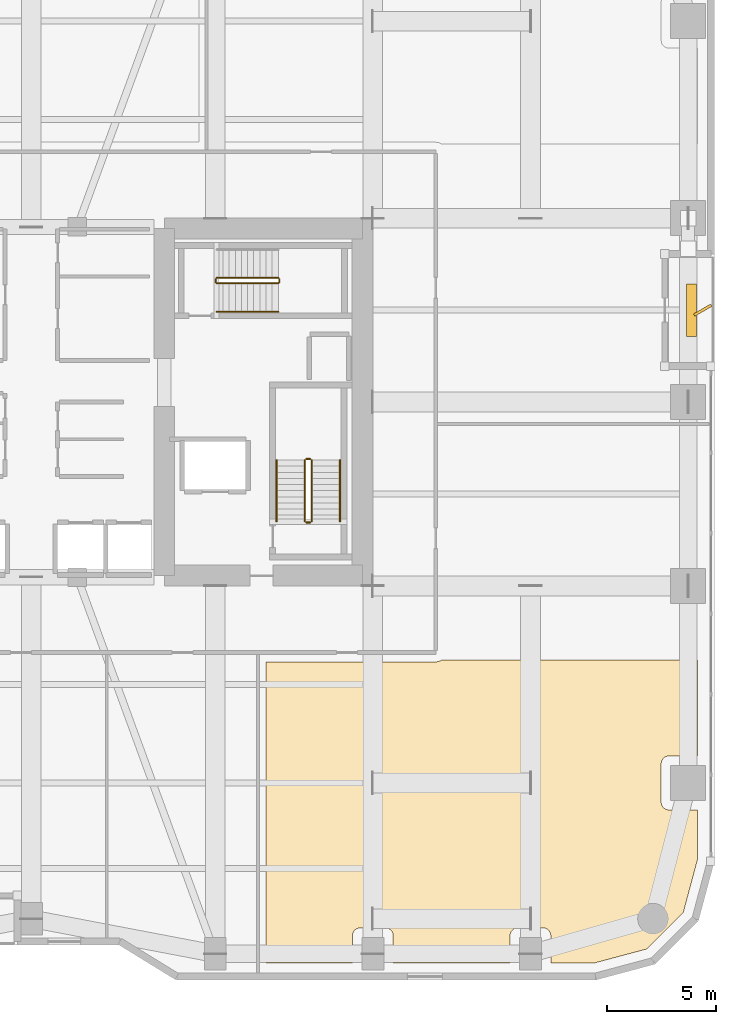
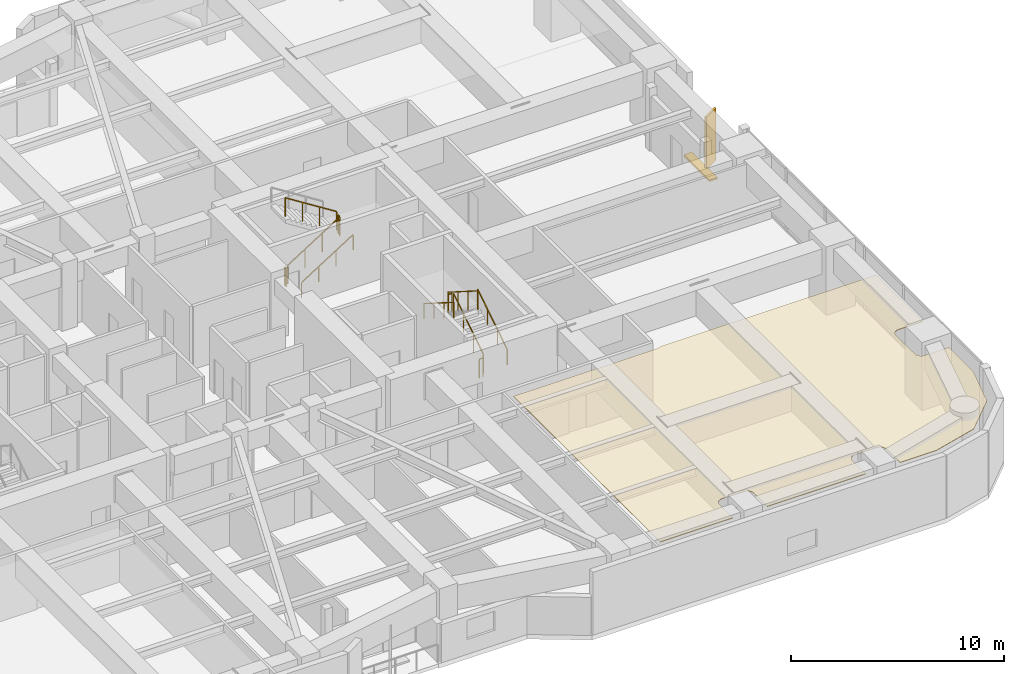
# One storey, part 27 of 28: 11 railings, 2 shading devices, 1 covering.
"""IFC4 building model written with IfcOpenShell, lengths in metres."""

from ifc_helpers import new_model, si_unit, direction, frame, origin, origin_2d, place, context, subcontext, project, spatial, polyline, rectangle, outline, extrude, material, layer, layer_set, type_object, element, save


model = new_model("IFC4")

# Units and contexts
model_context = context("Model", 3, precision=1e-05, world=origin(), true_north=direction((0.0, 1.0)))
body_context = subcontext(model_context, "Body", "Model", "MODEL_VIEW")
ifc_project = project(units=[si_unit("LENGTHUNIT", "METRE"), si_unit("AREAUNIT", "SQUARE_METRE"), si_unit("VOLUMEUNIT", "CUBIC_METRE"), si_unit("PLANEANGLEUNIT", "RADIAN"), si_unit("MASSUNIT", "GRAM", prefix="KILO")], contexts=[model_context])

# Site, building, storey
site_placement = place(None, origin())
site = spatial("IfcSite", under=ifc_project, at=site_placement, CompositionType="ELEMENT")
building_placement = place(site_placement, origin())
building = spatial("IfcBuilding", under=site, at=building_placement, Name="Kiyonajd Concourse Tower", CompositionType="ELEMENT")
storey_placement = place(building_placement, frame((0.0, 0.0, 76.800048828125)))
storey = spatial("IfcBuildingStorey", under=building, at=storey_placement, Name="L20", CompositionType="ELEMENT", Elevation=76.800048828125)

# Covering
ifc_material_1 = material(Name="Natural Oak Acoustic Timber Veneer", Category="wood")
ifc_layer = layer(ifc_material_1, 0.0400390625)
ifc_layer_set = layer_set([ifc_layer], Name="Natural Oak Acoustic Timber Veneer")
covering_type = type_object("IfcCoveringType", Name="CV-CLG-ACST", PredefinedType="CEILING", material=ifc_layer_set)
covering_placement = place(storey_placement, frame((0.0, 0.0, 3.419921875)))
element("IfcCovering", 1, at=covering_placement, inside=storey, type_object=covering_type, Name="L20-43 Room Acoustic Ceiling", PredefinedType="CEILING", context=body_context, shape_type="SweptSolid", body=[
    extrude(outline(polyline([(66.722900390625, 24.2099609375), (78.429931640625, 24.2099609375), (78.429931640625, 19.830078125), (77.1201171875, 19.830078125), (77.052001953125, 19.822998046875), (76.986083984375, 19.802978515625), (76.926025390625, 19.77099609375), (76.84912109375, 19.701904296875), (76.81103515625, 19.64501953125), (76.784912109375, 19.58203125), (76.77001953125, 19.47998046875), (76.77001953125, 17.719970703125), (76.784912109375, 17.617919921875), (76.81103515625, 17.554931640625), (76.84912109375, 17.498046875), (76.89794921875, 17.448974609375), (76.955078125, 17.410888671875), (77.01806640625, 17.385009765625), (77.0859375, 17.3720703125), (78.429931640625, 17.3701171875), (78.429931640625, 15.10107421875), (77.785888671875, 12.697998046875), (76.10205078125, 11.013916015625), (73.698974609375, 10.3701171875), (71.72998046875, 10.3701171875), (71.72802734375, 11.6640625), (71.715087890625, 11.73193359375), (71.68896484375, 11.794921875), (71.626953125, 11.876953125), (71.544921875, 11.93896484375), (71.48193359375, 11.965087890625), (71.4140625, 11.97802734375), (70.18603515625, 11.97802734375), (70.117919921875, 11.965087890625), (70.054931640625, 11.93896484375), (69.972900390625, 11.876953125), (69.910888671875, 11.794921875), (69.876953125, 11.697998046875), (69.8701171875, 11.6298828125), (69.8701171875, 10.3701171875), (64.530029296875, 10.3701171875), (64.528076171875, 11.6640625), (64.514892578125, 11.73193359375), (64.489013671875, 11.794921875), (64.427001953125, 11.876953125), (64.344970703125, 11.93896484375), (64.281982421875, 11.965087890625), (64.214111328125, 11.97802734375), (63.02001953125, 11.97998046875), (62.91796875, 11.965087890625), (62.85498046875, 11.93896484375), (62.798095703125, 11.90087890625), (62.7490234375, 11.85205078125), (62.7109375, 11.794921875), (62.677001953125, 11.697998046875), (62.669921875, 11.6298828125), (62.669921875, 10.3701171875), (58.72998046875, 10.3701171875), (58.72998046875, 24.1298828125), (66.47509765625, 24.1298828125), (66.60498046875, 24.14990234375), (66.66796875, 24.176025390625), (66.722900390625, 24.2099609375)])), origin(), (0.0, 0.0, 1.0), 0.0400390625),
])

# Railings
ifc_material_2 = material(Name="Steel ASTM A500 Grade C", Category="steel")
railing_type_1 = type_object("IfcRailingType", Name="RL-GRD-STR", PredefinedType="GUARDRAIL", material=ifc_material_2)
railing_1_placement = place(storey_placement, frame((60.800048828125, 30.550048828125, 0.17724609375)))
element("IfcRailing", 2, at=railing_1_placement, inside=storey, type_object=railing_type_1, Name="L20 ST2 stair guard 1", PredefinedType="GUARDRAIL", context=body_context, shape_type="SweptSolid", body=[
    extrude(rectangle(XDim=0.048095703125, YDim=0.048095703125, at=origin_2d()), frame((0.0, 0.0, 1.076171875), z_axis=(0.0, 0.844908973607, 0.534910110503), x_axis=(-1.0, 0.0, 0.0)), (0.0, 0.0, 1.0), 3.31396484375),
    extrude(rectangle(XDim=0.0419921875, YDim=0.0419921875, at=origin_2d()), origin(), (0.0, 0.0, 1.0), 1.052001953125),
    extrude(rectangle(XDim=0.0419921875, YDim=0.0419921875, at=origin_2d()), frame((0.0, 0.933349609375, 0.5908203125)), (0.0, 0.0, 1.0), 1.052001953125),
    extrude(rectangle(XDim=0.0419921875, YDim=0.0419921875, at=origin_2d()), frame((0.0, 1.86669921875, 1.181884765625)), (0.0, 0.0, 1.0), 1.052001953125),
    extrude(rectangle(XDim=0.0419921875, YDim=0.0419921875, at=origin_2d()), frame((0.0, 2.800048828125, 1.772705078125)), (0.0, 0.0, 1.0), 1.052001953125),
])
railing_2_placement = place(storey_placement, frame((60.75, 33.39990234375, 1.949951171875)))
element("IfcRailing", 3, at=railing_2_placement, inside=storey, type_object=railing_type_1, Name="L20 ST2 stair guard 2", PredefinedType="GUARDRAIL", context=body_context, shape_type="SweptSolid", body=[
    extrude(rectangle(XDim=0.048095703125, YDim=0.048095703125, at=origin_2d()), frame((0.0, 0.0, 1.076171875), z_axis=(-1.0, 0.0, 0.0), x_axis=(0.0, -1.0, 0.0)), (0.0, 0.0, 1.0), 0.199951171875),
    extrude(rectangle(XDim=0.0419921875, YDim=0.0419921875, at=origin_2d()), origin(), (0.0, 0.0, 1.0), 1.052001953125),
    extrude(rectangle(XDim=0.0419921875, YDim=0.0419921875, at=origin_2d()), frame((-0.199951171875, 0.0, 0.0)), (0.0, 0.0, 1.0), 1.052001953125),
])
railing_3_placement = place(storey_placement, frame((60.5, 33.35009765625, 2.127197265625)))
element("IfcRailing", 4, at=railing_3_placement, inside=storey, type_object=railing_type_1, Name="L20 ST2 stair guard 3", PredefinedType="GUARDRAIL", context=body_context, shape_type="SweptSolid", body=[
    extrude(rectangle(XDim=0.048095703125, YDim=0.048095703125, at=origin_2d()), frame((0.0, 0.0, 1.076171875), z_axis=(0.0, -0.844908973607, 0.534910110503), x_axis=(1.0, 0.0, 0.0)), (0.0, 0.0, 1.0), 3.31396484375),
    extrude(rectangle(XDim=0.0419921875, YDim=0.0419921875, at=origin_2d()), origin(), (0.0, 0.0, 1.0), 1.052001953125),
    extrude(rectangle(XDim=0.0419921875, YDim=0.0419921875, at=origin_2d()), frame((0.0, -0.933349609375, 0.5908203125)), (0.0, 0.0, 1.0), 1.052001953125),
    extrude(rectangle(XDim=0.0419921875, YDim=0.0419921875, at=origin_2d()), frame((0.0, -1.86669921875, 1.181884765625)), (0.0, 0.0, 1.0), 1.052001953125),
    extrude(rectangle(XDim=0.0419921875, YDim=0.0419921875, at=origin_2d()), frame((0.0, -2.800048828125, 1.772705078125)), (0.0, 0.0, 1.0), 1.052001953125),
])
railing_4_placement = place(storey_placement, frame((60.75, 30.5, 0.0)))
element("IfcRailing", 5, at=railing_4_placement, inside=storey, type_object=railing_type_1, Name="L20 ST2 stair guard 4", PredefinedType="GUARDRAIL", context=body_context, shape_type="SweptSolid", body=[
    extrude(rectangle(XDim=0.048095703125, YDim=0.048095703125, at=origin_2d()), frame((0.0, 0.0, 1.076171875), z_axis=(-1.0, 0.0, 0.0), x_axis=(0.0, -1.0, 0.0)), (0.0, 0.0, 1.0), 0.199951171875),
    extrude(rectangle(XDim=0.0419921875, YDim=0.0419921875, at=origin_2d()), origin(), (0.0, 0.0, 1.0), 1.052001953125),
    extrude(rectangle(XDim=0.0419921875, YDim=0.0419921875, at=origin_2d()), frame((-0.199951171875, 0.0, 0.0)), (0.0, 0.0, 1.0), 1.052001953125),
])
railing_5_placement = place(storey_placement, frame((56.47998046875, 41.429931640625, 0.17724609375)))
element("IfcRailing", 6, at=railing_5_placement, inside=storey, type_object=railing_type_1, Name="L20 ST3 stair guard 1", PredefinedType="GUARDRAIL", context=body_context, shape_type="SweptSolid", body=[
    extrude(rectangle(XDim=0.048095703125, YDim=0.048095703125, at=origin_2d()), frame((0.0, 0.0, 1.076171875), z_axis=(0.844908973607, 0.0, 0.534910110503), x_axis=(0.0, 1.0, 0.0)), (0.0, 0.0, 1.0), 3.31396484375),
    extrude(rectangle(XDim=0.0419921875, YDim=0.0419921875, at=origin_2d()), origin(), (0.0, 0.0, 1.0), 1.052001953125),
    extrude(rectangle(XDim=0.0419921875, YDim=0.0419921875, at=origin_2d()), frame((0.933349609375, 0.0, 0.5908203125)), (0.0, 0.0, 1.0), 1.052001953125),
    extrude(rectangle(XDim=0.0419921875, YDim=0.0419921875, at=origin_2d()), frame((1.86669921875, 0.0, 1.181884765625)), (0.0, 0.0, 1.0), 1.052001953125),
    extrude(rectangle(XDim=0.0419921875, YDim=0.0419921875, at=origin_2d()), frame((2.800048828125, 0.0, 1.772705078125)), (0.0, 0.0, 1.0), 1.052001953125),
])
railing_6_placement = place(storey_placement, frame((59.330078125, 41.47998046875, 1.949951171875)))
element("IfcRailing", 7, at=railing_6_placement, inside=storey, type_object=railing_type_1, Name="L20 ST3 stair guard 2", PredefinedType="GUARDRAIL", context=body_context, shape_type="SweptSolid", body=[
    extrude(rectangle(XDim=0.048095703125, YDim=0.048095703125, at=origin_2d()), frame((0.0, 0.0, 1.076171875), z_axis=(0.0, 1.0, 0.0), x_axis=(-1.0, 0.0, 0.0)), (0.0, 0.0, 1.0), 0.14013671875),
    extrude(rectangle(XDim=0.0419921875, YDim=0.0419921875, at=origin_2d()), origin(), (0.0, 0.0, 1.0), 1.052001953125),
    extrude(rectangle(XDim=0.0419921875, YDim=0.0419921875, at=origin_2d()), frame((0.0, 0.14013671875, 0.0)), (0.0, 0.0, 1.0), 1.052001953125),
])
railing_7_placement = place(storey_placement, frame((59.280029296875, 41.669921875, 2.127197265625)))
element("IfcRailing", 8, at=railing_7_placement, inside=storey, type_object=railing_type_1, Name="L20 ST3 stair guard 3", PredefinedType="GUARDRAIL", context=body_context, shape_type="SweptSolid", body=[
    extrude(rectangle(XDim=0.048095703125, YDim=0.048095703125, at=origin_2d()), frame((0.0, 0.0, 1.076171875), z_axis=(-0.844908973607, 0.0, 0.534910110503), x_axis=(0.0, -1.0, 0.0)), (0.0, 0.0, 1.0), 3.31396484375),
    extrude(rectangle(XDim=0.0419921875, YDim=0.0419921875, at=origin_2d()), origin(), (0.0, 0.0, 1.0), 1.052001953125),
    extrude(rectangle(XDim=0.0419921875, YDim=0.0419921875, at=origin_2d()), frame((-0.933349609375, 0.0, 0.5908203125)), (0.0, 0.0, 1.0), 1.052001953125),
    extrude(rectangle(XDim=0.0419921875, YDim=0.0419921875, at=origin_2d()), frame((-1.86669921875, 0.0, 1.181884765625)), (0.0, 0.0, 1.0), 1.052001953125),
    extrude(rectangle(XDim=0.0419921875, YDim=0.0419921875, at=origin_2d()), frame((-2.800048828125, 0.0, 1.772705078125)), (0.0, 0.0, 1.0), 1.052001953125),
])
railing_8_placement = place(storey_placement, frame((56.429931640625, 41.47998046875, 0.0)))
element("IfcRailing", 9, at=railing_8_placement, inside=storey, type_object=railing_type_1, Name="L20 ST3 stair guard 4", PredefinedType="GUARDRAIL", context=body_context, shape_type="SweptSolid", body=[
    extrude(rectangle(XDim=0.048095703125, YDim=0.048095703125, at=origin_2d()), frame((0.0, 0.0, 1.076171875), z_axis=(0.0, 1.0, 0.0), x_axis=(-1.0, 0.0, 0.0)), (0.0, 0.0, 1.0), 0.14013671875),
    extrude(rectangle(XDim=0.0419921875, YDim=0.0419921875, at=origin_2d()), origin(), (0.0, 0.0, 1.0), 1.052001953125),
    extrude(rectangle(XDim=0.0419921875, YDim=0.0419921875, at=origin_2d()), frame((0.0, 0.14013671875, 0.0)), (0.0, 0.0, 1.0), 1.052001953125),
])
ifc_material_3 = material(Name="Brushed Stainless Steel Cab Assembly", Category="steel")
railing_type_2 = type_object("IfcRailingType", Name="RL-HND-900", PredefinedType="HANDRAIL", material=ifc_material_3)
railing_9_placement = place(storey_placement, frame((62.10009765625, 30.550048828125, 0.17724609375)))
element("IfcRailing", 10, at=railing_9_placement, inside=storey, type_object=railing_type_2, Name="L20 ST2 stair handrail 1", PredefinedType="HANDRAIL", context=body_context, shape_type="SweptSolid", body=[
    extrude(rectangle(XDim=0.048095703125, YDim=0.048095703125, at=origin_2d()), frame((0.0, 0.0, 0.8759765625), z_axis=(0.0, 0.844908973607, 0.534910110503), x_axis=(-1.0, 0.0, 0.0)), (0.0, 0.0, 1.0), 3.31396484375),
    extrude(rectangle(XDim=0.0419921875, YDim=0.0419921875, at=origin_2d()), origin(), (0.0, 0.0, 1.0), 0.851806640625),
    extrude(rectangle(XDim=0.0419921875, YDim=0.0419921875, at=origin_2d()), frame((0.0, 0.933349609375, 0.5908203125)), (0.0, 0.0, 1.0), 0.851806640625),
    extrude(rectangle(XDim=0.0419921875, YDim=0.0419921875, at=origin_2d()), frame((0.0, 1.86669921875, 1.181884765625)), (0.0, 0.0, 1.0), 0.851806640625),
    extrude(rectangle(XDim=0.0419921875, YDim=0.0419921875, at=origin_2d()), frame((0.0, 2.800048828125, 1.772705078125)), (0.0, 0.0, 1.0), 0.851806640625),
])
railing_10_placement = place(storey_placement, frame((59.199951171875, 33.35009765625, 2.127197265625)))
element("IfcRailing", 11, at=railing_10_placement, inside=storey, type_object=railing_type_2, Name="L20 ST2 stair handrail 2", PredefinedType="HANDRAIL", context=body_context, shape_type="SweptSolid", body=[
    extrude(rectangle(XDim=0.048095703125, YDim=0.048095703125, at=origin_2d()), frame((0.0, 0.0, 0.8759765625), z_axis=(0.0, -0.844908973607, 0.534910110503), x_axis=(1.0, 0.0, 0.0)), (0.0, 0.0, 1.0), 3.31396484375),
    extrude(rectangle(XDim=0.0419921875, YDim=0.0419921875, at=origin_2d()), origin(), (0.0, 0.0, 1.0), 0.851806640625),
    extrude(rectangle(XDim=0.0419921875, YDim=0.0419921875, at=origin_2d()), frame((0.0, -0.933349609375, 0.5908203125)), (0.0, 0.0, 1.0), 0.851806640625),
    extrude(rectangle(XDim=0.0419921875, YDim=0.0419921875, at=origin_2d()), frame((0.0, -1.86669921875, 1.181884765625)), (0.0, 0.0, 1.0), 0.851806640625),
    extrude(rectangle(XDim=0.0419921875, YDim=0.0419921875, at=origin_2d()), frame((0.0, -2.800048828125, 1.772705078125)), (0.0, 0.0, 1.0), 0.851806640625),
])
railing_11_placement = place(storey_placement, frame((56.47998046875, 40.1298828125, 0.17724609375)))
element("IfcRailing", 12, at=railing_11_placement, inside=storey, type_object=railing_type_2, Name="L20 ST3 stair handrail 1", PredefinedType="HANDRAIL", context=body_context, shape_type="SweptSolid", body=[
    extrude(rectangle(XDim=0.048095703125, YDim=0.048095703125, at=origin_2d()), frame((0.0, 0.0, 0.8759765625), z_axis=(0.844908973607, 0.0, 0.534910110503), x_axis=(0.0, 1.0, 0.0)), (0.0, 0.0, 1.0), 3.31396484375),
    extrude(rectangle(XDim=0.0419921875, YDim=0.0419921875, at=origin_2d()), origin(), (0.0, 0.0, 1.0), 0.851806640625),
    extrude(rectangle(XDim=0.0419921875, YDim=0.0419921875, at=origin_2d()), frame((0.933349609375, 0.0, 0.5908203125)), (0.0, 0.0, 1.0), 0.851806640625),
    extrude(rectangle(XDim=0.0419921875, YDim=0.0419921875, at=origin_2d()), frame((1.86669921875, 0.0, 1.181884765625)), (0.0, 0.0, 1.0), 0.851806640625),
    extrude(rectangle(XDim=0.0419921875, YDim=0.0419921875, at=origin_2d()), frame((2.800048828125, 0.0, 1.772705078125)), (0.0, 0.0, 1.0), 0.851806640625),
])

# Shading devices
ifc_material_4 = material(Name="Precast concrete C50/60", Category="concrete")
shading_device_type_1 = type_object("IfcShadingDeviceType", Name="SH-FIN-900", PredefinedType="USERDEFINED", material=ifc_material_4)
shading_device_1_placement = place(storey_placement, frame((78.669921875, 40.199951171875, 0.0), z_axis=(0.0, 0.0, 1.0), x_axis=(0.866025403784, 0.5, 0.0)))
element("IfcShadingDevice", 13, at=shading_device_1_placement, inside=storey, type_object=shading_device_type_1, Name="L20 Angled Koshi Solar Fin LOG-E", ObjectType="FIN", PredefinedType="USERDEFINED", context=body_context, shape_type="SweptSolid", body=[
    extrude(rectangle(XDim=0.89990234375, YDim=0.1201171875, at=origin_2d()), origin(), (0.0, 0.0, 1.0), 3.0),
])
ifc_material_5 = material(Name="Thermally Broken Anodised Aluminium", Category="aluminium")
shading_device_type_2 = type_object("IfcShadingDeviceType", Name="SH-LVR-600", PredefinedType="JALOUSIE", material=ifc_material_5)
shading_device_2_placement = place(storey_placement, frame((78.14990234375, 40.199951171875, 0.0), z_axis=(0.0, 0.0, 1.0), x_axis=(0.0, 1.0, 0.0)))
element("IfcShadingDevice", 14, at=shading_device_2_placement, inside=storey, type_object=shading_device_type_2, Name="L20 Loggia Threshold Louver LOG-E", PredefinedType="JALOUSIE", context=body_context, shape_type="SweptSolid", body=[
    extrude(rectangle(XDim=2.39990234375, YDim=0.449951171875, at=origin_2d()), origin(), (0.0, 0.0, 1.0), 0.10009765625),
])

save(model, "model.ifc")
